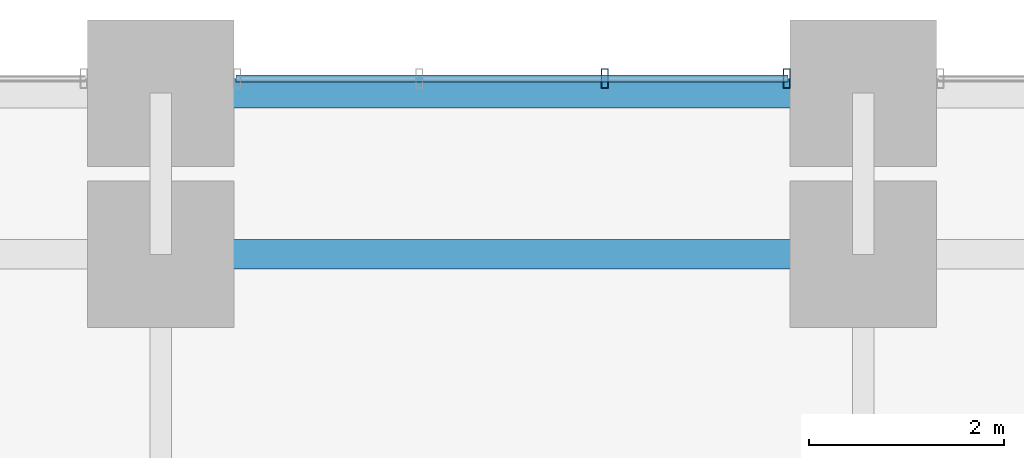
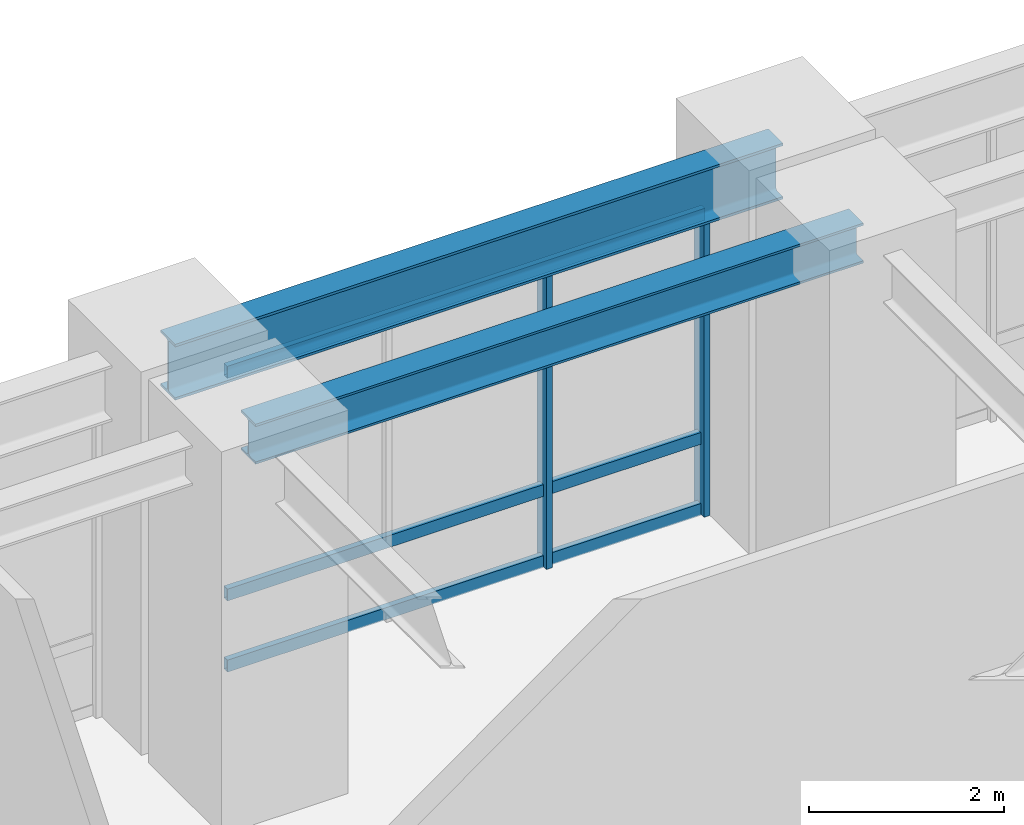
# One storey, part 7 of 22: 5 members, 2 beams, 1 element without a shape of its own.
"""IFC4 building model written with IfcOpenShell, lengths in metres."""

from ifc_helpers import new_model, si_unit, direction, frame, origin, origin_2d, place, context, subcontext, project, spatial, hollow_rectangle, i_section, extrude, source, transform, mapped, material, layer, layer_set, material_profile, profile_set, type_object, element, aggregate, save


model = new_model("IFC4")

# Units and contexts
model_context = context("Model", 3, precision=1e-05, world=origin(), true_north=direction((0.0, 1.0)))
body_context = subcontext(model_context, "Body", "Model", "MODEL_VIEW")
ifc_project = project(units=[si_unit("LENGTHUNIT", "METRE"), si_unit("AREAUNIT", "SQUARE_METRE"), si_unit("VOLUMEUNIT", "CUBIC_METRE"), si_unit("PLANEANGLEUNIT", "RADIAN"), si_unit("MASSUNIT", "GRAM", prefix="KILO")], contexts=[model_context])

# Site, building, storey
site_placement = place(None, origin())
site = spatial("IfcSite", under=ifc_project, at=site_placement, CompositionType="ELEMENT")
building_placement = place(site_placement, origin())
building = spatial("IfcBuilding", under=site, at=building_placement, Name="Kaliganga Portal Commons", CompositionType="ELEMENT")
storey_placement = place(building_placement, frame((0.0, 0.0, 5.39990234375)))
storey = spatial("IfcBuildingStorey", under=building, at=storey_placement, Name="L01", CompositionType="ELEMENT", Elevation=5.39990234375)

# Beams
ifc_material_1 = material(Name="Structural steel S355J2", Category="steel")
ifc_material_profile_1 = material_profile(ifc_material_1, i_section(OverallWidth=0.300048828125, OverallDepth=0.699951171875, WebThickness=0.01708984375, FlangeThickness=0.031982421875, FilletRadius=0.027099609375, at=origin_2d()), Name="HE 700 B")
ifc_profile_set_1 = profile_set([ifc_material_profile_1], Name="Structural steel S355J2 wide-flange")
beam_type_1 = type_object("IfcBeamType", Name="BM-GIRD-700", PredefinedType="USERDEFINED", material=ifc_profile_set_1)
shared_shape_1 = source(origin(), body_context, "Body", "SweptSolid", [
    extrude(i_section(OverallWidth=0.300048828125, OverallDepth=0.699951171875, WebThickness=0.01708984375, FlangeThickness=0.031982421875, FilletRadius=0.027099609375, at=origin_2d()), origin(), (0.0, 0.0, 1.0), 7.199951171875),
])
beam_1_placement = place(storey_placement, frame((28.800048828125, 44.85009765625, 4.170166015625), z_axis=(1.0, 0.0, 0.0), x_axis=(0.0, 1.0, 0.0)))
element("IfcBeam", 1, at=beam_1_placement, inside=storey, type_object=beam_type_1, Name="BM PODP L01 N44 3", ObjectType="GIRDER", PredefinedType="USERDEFINED", context=body_context, shape_type="MappedRepresentation", body=[
    mapped(shared_shape_1, transform((0.0, 0.0, 0.0), x_axis=(1.0, 0.0, 0.0), y_axis=(0.0, 1.0, 0.0), z_axis=(0.0, 0.0, 1.0), scale=1.0)),
])
ifc_material_profile_2 = material_profile(ifc_material_1, i_section(OverallWidth=0.300048828125, OverallDepth=0.5, WebThickness=0.014404296875, FlangeThickness=0.028076171875, FilletRadius=0.027099609375, at=origin_2d()), Name="HE 500 B")
ifc_profile_set_2 = profile_set([ifc_material_profile_2], Name="Structural steel S355J2 wide-flange")
beam_type_2 = type_object("IfcBeamType", Name="BM-SPAND-500", PredefinedType="SPANDREL", material=ifc_profile_set_2)
shared_shape_2 = source(origin(), body_context, "Body", "SweptSolid", [
    extrude(i_section(OverallWidth=0.300048828125, OverallDepth=0.5, WebThickness=0.014404296875, FlangeThickness=0.028076171875, FilletRadius=0.027099609375, at=origin_2d()), origin(), (0.0, 0.0, 1.0), 7.199951171875),
])
beam_2_placement = place(storey_placement, frame((28.800048828125, 43.199951171875, 4.27001953125), z_axis=(1.0, 0.0, 0.0), x_axis=(0.0, 1.0, 0.0)))
element("IfcBeam", 2, at=beam_2_placement, inside=storey, type_object=beam_type_2, Name="BM SP L01 AN 3", PredefinedType="SPANDREL", context=body_context, shape_type="MappedRepresentation", body=[
    mapped(shared_shape_2, transform((0.0, 0.0, 0.0), x_axis=(1.0, 0.0, 0.0), y_axis=(0.0, 1.0, 0.0), z_axis=(0.0, 0.0, 1.0), scale=1.0)),
])

# Curtain wall, members
ifc_material_2 = material(Name="Anodized Aluminium and Laminated Low-E Glass", Category="aluminium")
ifc_layer = layer(ifc_material_2, 0.219970703125)
ifc_layer_set = layer_set([ifc_layer], Name="Anodized Aluminium and Laminated Low-E Glass")
curtain_wall_type = type_object("IfcCurtainWallType", Name="CW-SYS-01", PredefinedType="NOTDEFINED", material=ifc_layer_set)
curtain_wall_placement = place(storey_placement, origin())
curtain_wall = element("IfcCurtainWall", 3, at=curtain_wall_placement, inside=storey, type_object=curtain_wall_type, Name="CW 01 L01 P1E02S5", PredefinedType="NOTDEFINED")
ifc_material_3 = material(Name="Dark Bronze Anodized Aluminium", Category="aluminium")
ifc_material_profile_3 = material_profile(ifc_material_3, hollow_rectangle(XDim=0.070068359375, YDim=0.14990234375, WallThickness=0.00341796875, at=origin_2d()), Name="ALU TRAN 70x150x3.5")
ifc_profile_set_3 = profile_set([ifc_material_profile_3], Name="Dark Bronze Anodized Aluminium")
member_type_1 = type_object("IfcMemberType", Name="CW-TRN-150", PredefinedType="USERDEFINED", material=ifc_profile_set_3)
shared_shape_3 = source(origin(), body_context, "Body", "SweptSolid", [
    extrude(hollow_rectangle(XDim=0.070068359375, YDim=0.14990234375, WallThickness=0.00341796875, at=origin_2d()), origin(), (0.0, 0.0, 1.0), 5.657958984375),
])
member_1_placement = place(storey_placement, frame((35.22900390625, 45.0, 0.06005859375), z_axis=(-1.0, 0.0, 0.0), x_axis=(0.0, -1.0, 0.0)))
member_1 = element("IfcMember", 4, at=member_1_placement, type_object=member_type_1, Name="CW:01:L01:P1E02S5 Transom 1", ObjectType="TRANSOM", PredefinedType="USERDEFINED", context=body_context, shape_type="MappedRepresentation", body=[
    mapped(shared_shape_3, transform((0.0, 0.0, 0.0), x_axis=(1.0, 0.0, 0.0), y_axis=(0.0, 1.0, 0.0), z_axis=(0.0, 0.0, 1.0), scale=1.0)),
])
member_2_placement = place(storey_placement, frame((35.22900390625, 45.0, 0.9501953125), z_axis=(-1.0, 0.0, 0.0), x_axis=(0.0, -1.0, 0.0)))
member_2 = element("IfcMember", 5, at=member_2_placement, type_object=member_type_1, Name="CW:01:L01:P1E02S5 Transom 2", ObjectType="TRANSOM", PredefinedType="USERDEFINED", context=body_context, shape_type="MappedRepresentation", body=[
    mapped(shared_shape_3, transform((0.0, 0.0, 0.0), x_axis=(1.0, 0.0, 0.0), y_axis=(0.0, 1.0, 0.0), z_axis=(0.0, 0.0, 1.0), scale=1.0)),
])
member_3_placement = place(storey_placement, frame((35.22900390625, 45.0, 3.739990234375), z_axis=(-1.0, 0.0, 0.0), x_axis=(0.0, -1.0, 0.0)))
member_3 = element("IfcMember", 6, at=member_3_placement, type_object=member_type_1, Name="CW:01:L01:P1E02S5 Transom 3", ObjectType="TRANSOM", PredefinedType="USERDEFINED", context=body_context, shape_type="MappedRepresentation", body=[
    mapped(shared_shape_3, transform((0.0, 0.0, 0.0), x_axis=(1.0, 0.0, 0.0), y_axis=(0.0, 1.0, 0.0), z_axis=(0.0, 0.0, 1.0), scale=1.0)),
])
ifc_material_profile_4 = material_profile(ifc_material_3, hollow_rectangle(XDim=0.070068359375, YDim=0.199951171875, WallThickness=0.00390625, at=origin_2d()), Name="ALU MULL 70x200x4")
ifc_profile_set_4 = profile_set([ifc_material_profile_4], Name="Dark Bronze Anodized Aluminium")
member_type_2 = type_object("IfcMemberType", Name="CW-MUL-220", PredefinedType="MULLION", material=ifc_profile_set_4)
shared_shape_4 = source(origin(), body_context, "Body", "SweptSolid", [
    extrude(hollow_rectangle(XDim=0.070068359375, YDim=0.199951171875, WallThickness=0.00390625, at=origin_2d()), origin(), (0.0, 0.0, 1.0), 3.820068359375),
])
member_4_placement = place(storey_placement, frame((35.214111328125, 45.0, 0.0), z_axis=(0.0, 0.0, 1.0), x_axis=(-1.0, 0.0, 0.0)))
member_4 = element("IfcMember", 7, at=member_4_placement, type_object=member_type_2, Name="CW:01:L01:P1E02S5 Mullion 00", PredefinedType="MULLION", context=body_context, shape_type="MappedRepresentation", body=[
    mapped(shared_shape_4, transform((0.0, 0.0, 0.0), x_axis=(1.0, 0.0, 0.0), y_axis=(0.0, 1.0, 0.0), z_axis=(0.0, 0.0, 1.0), scale=1.0)),
])
member_5_placement = place(storey_placement, frame((33.349609375, 45.0, 0.0), z_axis=(0.0, 0.0, 1.0), x_axis=(-1.0, 0.0, 0.0)))
member_5 = element("IfcMember", 8, at=member_5_placement, type_object=member_type_2, Name="CW:01:L01:P1E02S5 Mullion 01", PredefinedType="MULLION", context=body_context, shape_type="MappedRepresentation", body=[
    mapped(shared_shape_4, transform((0.0, 0.0, 0.0), x_axis=(1.0, 0.0, 0.0), y_axis=(0.0, 1.0, 0.0), z_axis=(0.0, 0.0, 1.0), scale=1.0)),
])
aggregate(curtain_wall, [member_4, member_5, member_1, member_2, member_3])

save(model, "model.ifc")
